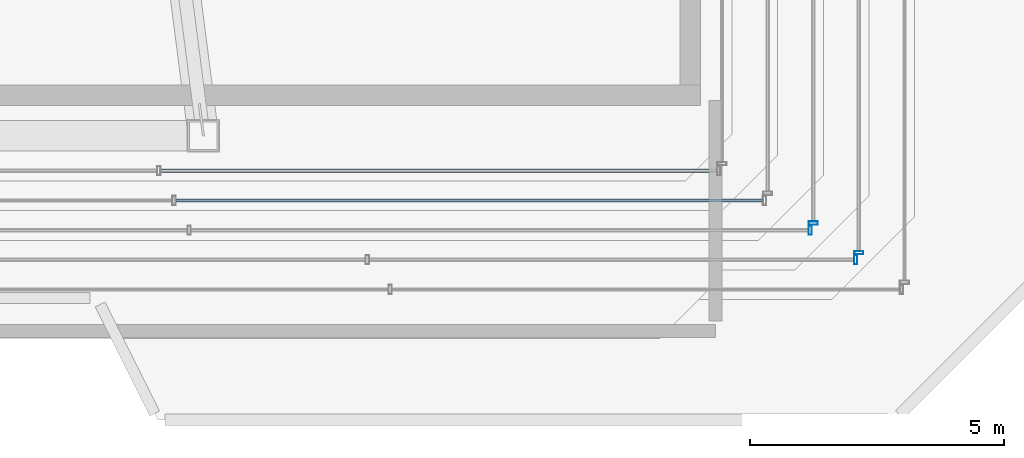
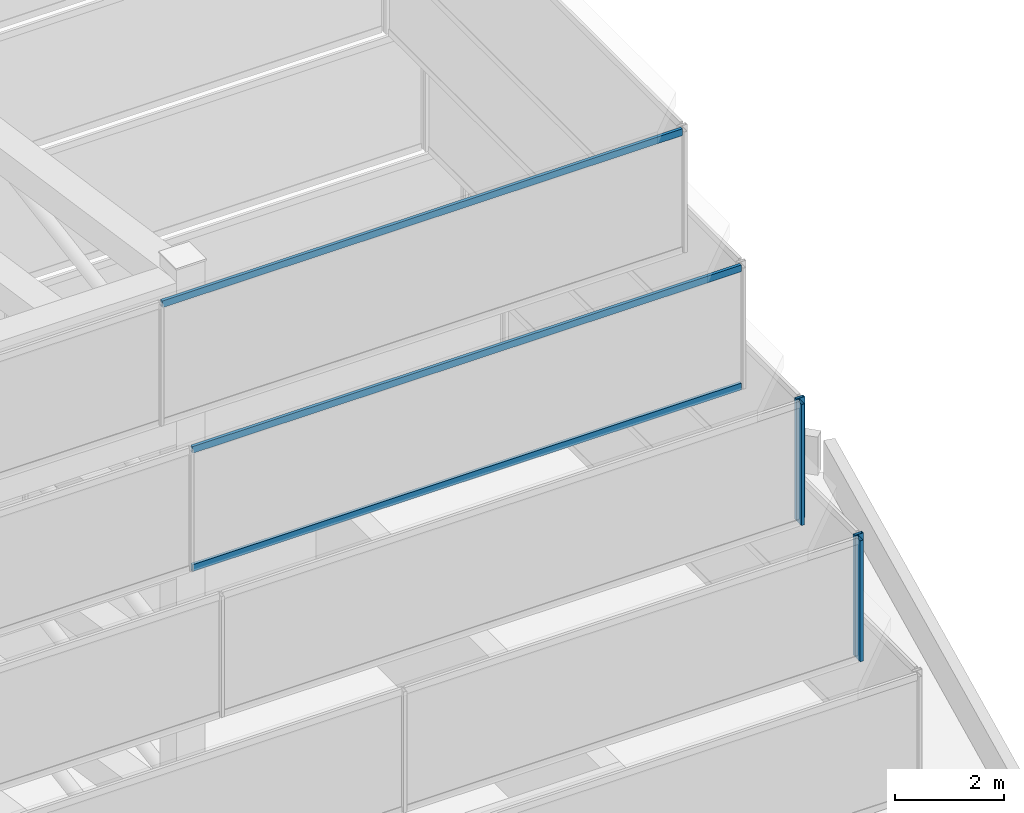
# One storey, part 21 of 29: 7 members, 6 elements without a shape of their own.
"""IFC4 building model written with IfcOpenShell, lengths in metres."""

from ifc_helpers import new_model, si_unit, direction, frame, origin, origin_2d, place, context, subcontext, project, spatial, hollow_rectangle, extrude, material, material_profile, profile_set, type_object, element, aggregate, save


model = new_model("IFC4")

# Units and contexts
model_context = context("Model", 3, precision=1e-05, world=origin(), true_north=direction((0.0, 1.0)))
body_context = subcontext(model_context, "Body", "Model", "MODEL_VIEW")
ifc_project = project(units=[si_unit("LENGTHUNIT", "METRE"), si_unit("AREAUNIT", "SQUARE_METRE"), si_unit("VOLUMEUNIT", "CUBIC_METRE"), si_unit("PLANEANGLEUNIT", "RADIAN"), si_unit("MASSUNIT", "GRAM", prefix="KILO")], contexts=[model_context])

# Site, building, storey
site_placement = place(None, origin())
site = spatial("IfcSite", under=ifc_project, at=site_placement, CompositionType="ELEMENT")
building_placement = place(site_placement, origin())
building = spatial("IfcBuilding", under=site, at=building_placement, Name="Saevonmaru Cultural Tower", CompositionType="ELEMENT")
storey_placement = place(building_placement, frame((0.0, 0.0, 327.60009765625)))
storey = spatial("IfcBuildingStorey", under=building, at=storey_placement, Name="RF", CompositionType="ELEMENT", Elevation=327.60009765625)

# Curtain wall, member
ifc_material = material(Name="Satin Bronze Anodised Aluminium", Category="aluminium")
curtain_wall_type = type_object("IfcCurtainWallType", Name="CW-TYP-B", PredefinedType="NOTDEFINED", material=ifc_material)
curtain_wall_1_placement = place(storey_placement, origin())
curtain_wall_1 = element("IfcCurtainWall", 1, at=curtain_wall_1_placement, inside=storey, type_object=curtain_wall_type, Name="RF Ziggurat Crown Tier 3 Bronze Louvre Screen 1", PredefinedType="NOTDEFINED")
ifc_material_profile_1 = material_profile(ifc_material, hollow_rectangle(XDim=0.06494140625, YDim=0.179931640625, WallThickness=0.00390625, at=origin_2d()), Name="ALU-MULL-180x65x4")
ifc_profile_set_1 = profile_set([ifc_material_profile_1], Name="Satin Bronze Anodised Aluminium")
member_type_1 = type_object("IfcMemberType", Name="ML-CW-180x65", PredefinedType="MULLION", material=ifc_profile_set_1)
member_1_placement = place(storey_placement, frame((49.26708984375, 39.955078125, 6.0), z_axis=(0.0, 0.0, 1.0), x_axis=(1.0, 0.0, 0.0)))
member_1 = element("IfcMember", 2, at=member_1_placement, type_object=member_type_1, Name="CW-CROWN-T3-1 mullion 5", PredefinedType="MULLION", context=body_context, shape_type="SweptSolid", body=[
    extrude(hollow_rectangle(XDim=0.06494140625, YDim=0.179931640625, WallThickness=0.00390625, at=origin_2d()), origin(), (0.0, 0.0, 1.0), 2.699951171875),
])
aggregate(curtain_wall_1, [member_1])

curtain_wall_2_placement = place(storey_placement, origin())
curtain_wall_2 = element("IfcCurtainWall", 3, at=curtain_wall_2_placement, inside=storey, type_object=curtain_wall_type, Name="RF Ziggurat Crown Tier 3 Bronze Louvre Screen 2", PredefinedType="NOTDEFINED")
member_2_placement = place(storey_placement, frame((49.326904296875, 40.094970703125, 6.0), z_axis=(0.0, 0.0, 1.0), x_axis=(0.0, 1.0, 0.0)))
member_2 = element("IfcMember", 4, at=member_2_placement, type_object=member_type_1, Name="CW-CROWN-T3-2 mullion 1", PredefinedType="MULLION", context=body_context, shape_type="SweptSolid", body=[
    extrude(hollow_rectangle(XDim=0.06494140625, YDim=0.179931640625, WallThickness=0.00390625, at=origin_2d()), origin(), (0.0, 0.0, 1.0), 2.699951171875),
])
aggregate(curtain_wall_2, [member_2])

curtain_wall_3_placement = place(storey_placement, origin())
curtain_wall_3 = element("IfcCurtainWall", 5, at=curtain_wall_3_placement, inside=storey, type_object=curtain_wall_type, Name="RF Ziggurat Crown Tier 4 Bronze Louvre Screen 1", PredefinedType="NOTDEFINED")
member_3_placement = place(storey_placement, frame((48.366943359375, 40.5400390625, 9.0), z_axis=(0.0, 0.0, 1.0), x_axis=(1.0, 0.0, 0.0)))
member_3 = element("IfcMember", 6, at=member_3_placement, type_object=member_type_1, Name="CW-CROWN-T4-1 mullion 4", PredefinedType="MULLION", context=body_context, shape_type="SweptSolid", body=[
    extrude(hollow_rectangle(XDim=0.06494140625, YDim=0.179931640625, WallThickness=0.00390625, at=origin_2d()), origin(), (0.0, 0.0, 1.0), 2.699951171875),
])
aggregate(curtain_wall_3, [member_3])

curtain_wall_4_placement = place(storey_placement, origin())
curtain_wall_4 = element("IfcCurtainWall", 7, at=curtain_wall_4_placement, inside=storey, type_object=curtain_wall_type, Name="RF Ziggurat Crown Tier 4 Bronze Louvre Screen 2", PredefinedType="NOTDEFINED")
member_4_placement = place(storey_placement, frame((48.427001953125, 40.679931640625, 9.0), z_axis=(0.0, 0.0, 1.0), x_axis=(0.0, 1.0, 0.0)))
member_4 = element("IfcMember", 8, at=member_4_placement, type_object=member_type_1, Name="CW-CROWN-T4-2 mullion 1", PredefinedType="MULLION", context=body_context, shape_type="SweptSolid", body=[
    extrude(hollow_rectangle(XDim=0.06494140625, YDim=0.179931640625, WallThickness=0.00390625, at=origin_2d()), origin(), (0.0, 0.0, 1.0), 2.699951171875),
])
aggregate(curtain_wall_4, [member_4])

# Curtain wall, members
curtain_wall_5_placement = place(storey_placement, origin())
curtain_wall_5 = element("IfcCurtainWall", 9, at=curtain_wall_5_placement, inside=storey, type_object=curtain_wall_type, Name="RF Ziggurat Crown Tier 5 Bronze Louvre Screen 1", PredefinedType="NOTDEFINED")
ifc_material_profile_2 = material_profile(ifc_material, hollow_rectangle(XDim=0.06494140625, YDim=0.14990234375, WallThickness=0.00390625, at=origin_2d()), Name="ALU-TRAN-150x65x4")
ifc_profile_set_2 = profile_set([ifc_material_profile_2], Name="Satin Bronze Anodised Aluminium")
member_type_2 = type_object("IfcMemberType", Name="TR-CW-150x65", PredefinedType="USERDEFINED", material=ifc_profile_set_2)
member_5_placement = place(storey_placement, frame((35.854736328125, 41.125, 12.032470703125), z_axis=(1.0, 0.0, 0.0), x_axis=(0.0, 1.0, 0.0)))
member_5 = element("IfcMember", 10, at=member_5_placement, type_object=member_type_2, Name="CW-CROWN-T5-1 transom 3.1", ObjectType="TRANSOM", PredefinedType="USERDEFINED", context=body_context, shape_type="SweptSolid", body=[
    extrude(hollow_rectangle(XDim=0.06494140625, YDim=0.14990234375, WallThickness=0.00390625, at=origin_2d()), origin(), (0.0, 0.0, 1.0), 11.579833984375),
])
member_6_placement = place(storey_placement, frame((35.854736328125, 41.125, 14.66748046875), z_axis=(1.0, 0.0, 0.0), x_axis=(0.0, 1.0, 0.0)))
member_6 = element("IfcMember", 11, at=member_6_placement, type_object=member_type_2, Name="CW-CROWN-T5-1 transom 3.2", ObjectType="TRANSOM", PredefinedType="USERDEFINED", context=body_context, shape_type="SweptSolid", body=[
    extrude(hollow_rectangle(XDim=0.06494140625, YDim=0.14990234375, WallThickness=0.00390625, at=origin_2d()), origin(), (0.0, 0.0, 1.0), 11.579833984375),
])
aggregate(curtain_wall_5, [member_5, member_6])

# Curtain wall, member
curtain_wall_6_placement = place(storey_placement, origin())
curtain_wall_6 = element("IfcCurtainWall", 12, at=curtain_wall_6_placement, inside=storey, type_object=curtain_wall_type, Name="RF Ziggurat Crown Tier 6 Bronze Louvre Screen 1", PredefinedType="NOTDEFINED")
member_7_placement = place(storey_placement, frame((35.554931640625, 41.7099609375, 17.66748046875), z_axis=(1.0, 0.0, 0.0), x_axis=(0.0, 1.0, 0.0)))
member_7 = element("IfcMember", 13, at=member_7_placement, type_object=member_type_2, Name="CW-CROWN-T6-1 transom 3.2", ObjectType="TRANSOM", PredefinedType="USERDEFINED", context=body_context, shape_type="SweptSolid", body=[
    extrude(hollow_rectangle(XDim=0.06494140625, YDim=0.14990234375, WallThickness=0.00390625, at=origin_2d()), origin(), (0.0, 0.0, 1.0), 10.9794921875),
])
aggregate(curtain_wall_6, [member_7])

save(model, "model.ifc")
